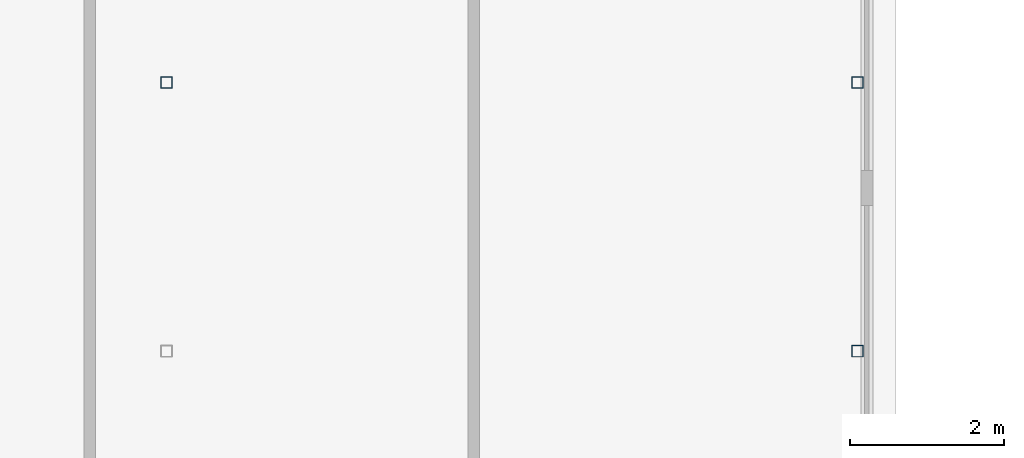
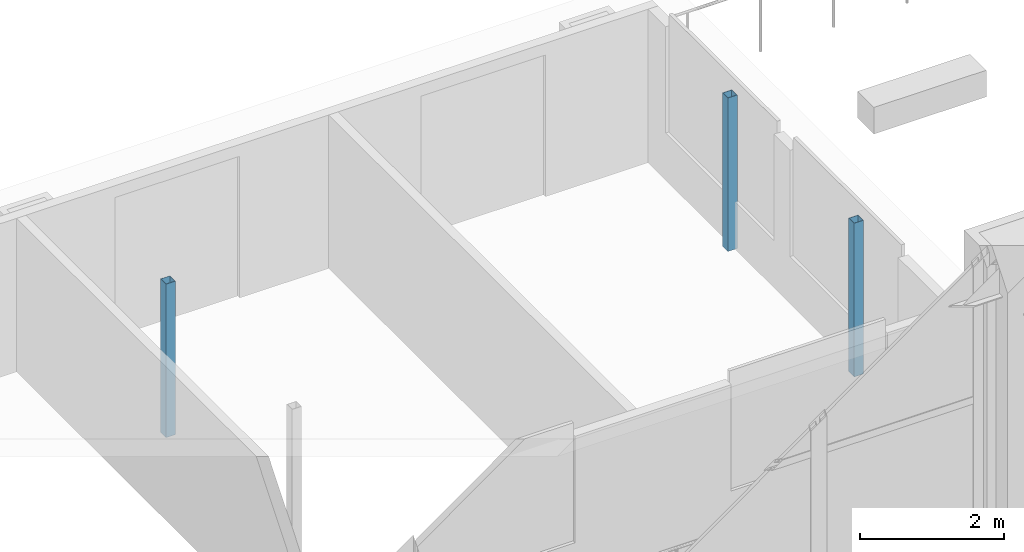
# One storey, part 23 of 67: 3 members.
"""IFC4 building model written with IfcOpenShell, lengths in metres."""

from ifc_helpers import new_model, si_unit, direction, frame, origin, origin_2d, place, context, subcontext, project, spatial, hollow_rectangle, extrude, material, material_profile, profile_set, type_object, element, save


model = new_model("IFC4")

# Units and contexts
model_context = context("Model", 3, precision=1e-05, world=origin(), true_north=direction((0.0, 1.0)))
body_context = subcontext(model_context, "Body", "Model", "MODEL_VIEW")
ifc_project = project(units=[si_unit("LENGTHUNIT", "METRE"), si_unit("AREAUNIT", "SQUARE_METRE"), si_unit("VOLUMEUNIT", "CUBIC_METRE"), si_unit("PLANEANGLEUNIT", "RADIAN"), si_unit("MASSUNIT", "GRAM", prefix="KILO")], contexts=[model_context])

# Site, building, storey
site_placement = place(None, origin())
site = spatial("IfcSite", under=ifc_project, at=site_placement, CompositionType="ELEMENT")
building_placement = place(site_placement, origin())
building = spatial("IfcBuilding", under=site, at=building_placement, Name="Aravalli Gate Trade Fair Centre", CompositionType="ELEMENT")
storey_placement = place(building_placement, frame((0.0, 0.0, 5.0)))
storey = spatial("IfcBuildingStorey", under=building, at=storey_placement, Name="L01", CompositionType="ELEMENT", Elevation=5.0)

# Members
ifc_material = material(Name="Steel E350", Category="steel")
ifc_material_profile = material_profile(ifc_material, hollow_rectangle(XDim=0.14990234375, YDim=0.14990234375, WallThickness=0.006103515625, at=origin_2d()), Name="SHS 150x150x6")
ifc_profile_set = profile_set([ifc_material_profile], Name="Steel E350")
member_type = type_object("IfcMemberType", Name="SHS 150x150x6 terrace pavilion post", PredefinedType="POST", material=ifc_profile_set)
for number, where, z_axis, x_axis, name in (
    (1, (123.0, 141.0, 0.0), (0.0, 0.0, 1.0), (1.0, 0.0, 0.0), "Terrace pavilion post 123.2"),
    (2, (132.0, 137.5, 0.0), (0.0, 0.0, 1.0), (1.0, 0.0, 0.0), "Terrace pavilion post 132.1"),
    (3, (132.0, 141.0, 0.0), (0.0, 0.0, 1.0), (1.0, 0.0, 0.0), "Terrace pavilion post 132.2"),
):
    element("IfcMember", number, at=place(storey_placement, frame(where, z_axis=z_axis, x_axis=x_axis)), inside=storey, type_object=member_type, Name=name, PredefinedType="POST", context=body_context, shape_type="SweptSolid", body=[
        extrude(hollow_rectangle(XDim=0.14990234375, YDim=0.14990234375, WallThickness=0.006103515625, at=origin_2d()), origin(), (0.0, 0.0, 1.0), 2.60009765625),
    ])

save(model, "model.ifc")
